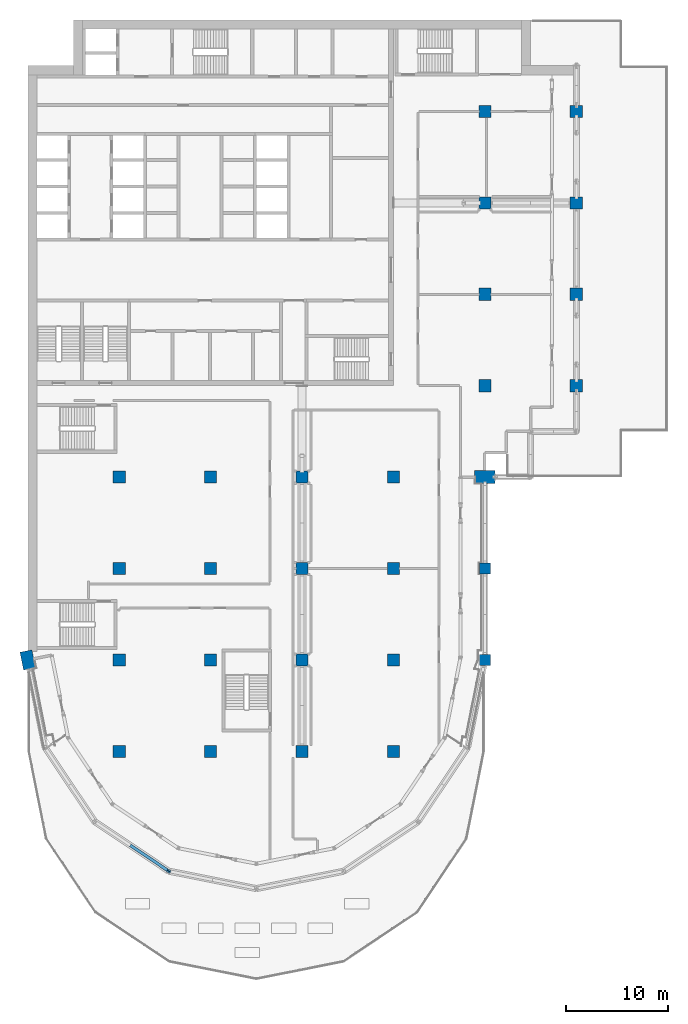
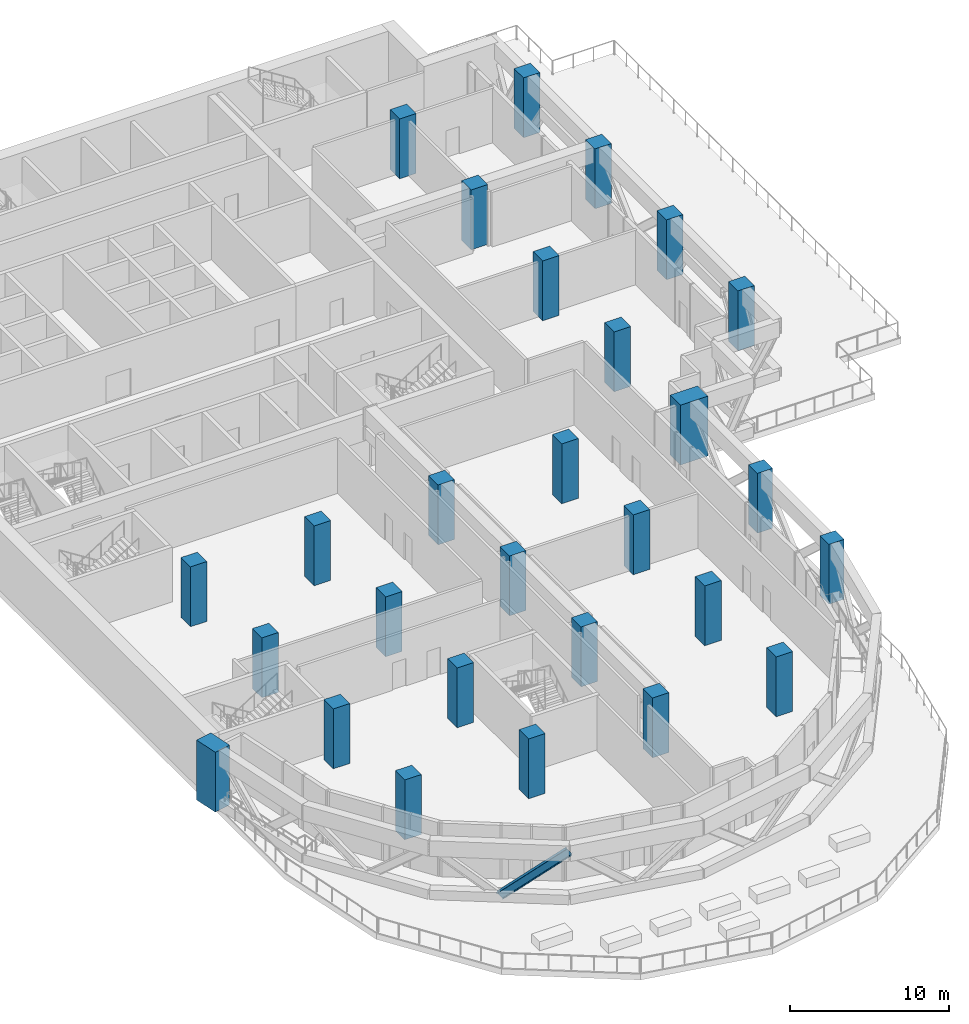
# One storey, part 1 of 20: 28 columns, 1 member.
"""IFC4 building model written with IfcOpenShell, lengths in metres."""

from ifc_helpers import new_model, si_unit, direction, frame, origin, origin_2d, place, context, subcontext, project, spatial, rectangle, i_section, extrude, material, material_profile, profile_set, type_object, element, save


model = new_model("IFC4")

# Units and contexts
model_context = context("Model", 3, precision=1e-05, world=origin(), true_north=direction((0.0, 1.0)))
body_context = subcontext(model_context, "Body", "Model", "MODEL_VIEW")
ifc_project = project(units=[si_unit("LENGTHUNIT", "METRE"), si_unit("AREAUNIT", "SQUARE_METRE"), si_unit("VOLUMEUNIT", "CUBIC_METRE"), si_unit("PLANEANGLEUNIT", "RADIAN"), si_unit("MASSUNIT", "GRAM", prefix="KILO")], contexts=[model_context])

# Site, building, storey
site_placement = place(None, origin())
site = spatial("IfcSite", under=ifc_project, at=site_placement, CompositionType="ELEMENT")
building_placement = place(site_placement, origin())
building = spatial("IfcBuilding", under=site, at=building_placement, Name="Hunhe Ridgeline Campus", CompositionType="ELEMENT")
storey_placement = place(building_placement, frame((0.0, 0.0, 178.199951171875)))
storey = spatial("IfcBuildingStorey", under=building, at=storey_placement, Name="L45", CompositionType="ELEMENT", Elevation=178.199951171875)

# Columns
ifc_material_1 = material(Name="Concrete C60", Category="concrete")
ifc_material_profile_1 = material_profile(ifc_material_1, rectangle(XDim=1.800048828125, YDim=1.199951171875, at=origin_2d()))
ifc_profile_set_1 = profile_set([ifc_material_profile_1], Name="Concrete C60")
column_type_1 = type_object("IfcColumnType", Name="Megacolumn 1800x1200 Concrete C60", PredefinedType="COLUMN", material=ifc_profile_set_1)
column_1_placement = place(storey_placement, frame((0.0, 36.0, 0.0), z_axis=(0.0, 0.0, 1.0), x_axis=(-0.195090322016, 0.980785280403, 0.0)))
element("IfcColumn", 1, at=column_1_placement, inside=storey, type_object=column_type_1, Name="Column C11 E1 L45", PredefinedType="COLUMN", context=body_context, shape_type="SweptSolid", body=[
    extrude(rectangle(XDim=1.800048828125, YDim=1.199951171875, at=origin_2d()), origin(), (0.0, 0.0, 1.0), 4.60009765625),
])
ifc_material_2 = material(Name="Concrete C70", Category="concrete")
ifc_material_profile_2 = material_profile(ifc_material_2, rectangle(XDim=2.0, YDim=1.300048828125, at=origin_2d()))
ifc_profile_set_2 = profile_set([ifc_material_profile_2], Name="Concrete C70")
column_type_2 = type_object("IfcColumnType", Name="Megacolumn 2000x1300 Concrete C70", PredefinedType="COLUMN", material=ifc_profile_set_2)
column_2_placement = place(storey_placement, frame((45.0, 54.0, 0.0), z_axis=(0.0, 0.0, 1.0), x_axis=(1.0, 0.0, 0.0)))
element("IfcColumn", 2, at=column_2_placement, inside=storey, type_object=column_type_2, Name="Column C9 G6 L45", PredefinedType="COLUMN", context=body_context, shape_type="SweptSolid", body=[
    extrude(rectangle(XDim=2.0, YDim=1.300048828125, at=origin_2d()), origin(), (0.0, 0.0, 1.0), 4.60009765625),
])
ifc_material_profile_3 = material_profile(ifc_material_2, rectangle(XDim=1.10009765625, YDim=1.10009765625, at=origin_2d()))
ifc_profile_set_3 = profile_set([ifc_material_profile_3], Name="Concrete C70")
column_type_3 = type_object("IfcColumnType", Name="RC column 1100x1100 Concrete C70", PredefinedType="COLUMN", material=ifc_profile_set_3)
for number, where, z_axis, x_axis, name in (
    (3, (45.0, 36.0, 0.0), (0.0, 0.0, 1.0), (1.0, 0.0, 0.0), "Column C10 E6 L45"),
    (4, (45.0, 45.0, 0.0), (0.0, 0.0, 1.0), (1.0, 0.0, 0.0), "Column C10 F6 L45"),
):
    element("IfcColumn", number, at=place(storey_placement, frame(where, z_axis=z_axis, x_axis=x_axis)), inside=storey, type_object=column_type_3, Name=name, PredefinedType="COLUMN", context=body_context, shape_type="SweptSolid", body=[
        extrude(rectangle(XDim=1.10009765625, YDim=1.10009765625, at=origin_2d()), origin(), (0.0, 0.0, 1.0), 4.60009765625),
    ])
ifc_material_profile_4 = material_profile(ifc_material_2, rectangle(XDim=1.199951171875, YDim=1.199951171875, at=origin_2d()))
ifc_profile_set_4 = profile_set([ifc_material_profile_4], Name="Concrete C70")
column_type_4 = type_object("IfcColumnType", Name="RC column 1200x1200 Concrete C70", PredefinedType="COLUMN", material=ifc_profile_set_4)
for number, where, z_axis, x_axis, name in (
    (5, (54.0, 63.0, 0.0), (0.0, 0.0, 1.0), (1.0, 0.0, 0.0), "Column C7 H7 L45"),
    (6, (54.0, 72.0, 0.0), (0.0, 0.0, 1.0), (1.0, 0.0, 0.0), "Column C7 I7 L45"),
    (7, (54.0, 81.0, 0.0), (0.0, 0.0, 1.0), (1.0, 0.0, 0.0), "Column C7 J7 L45"),
    (8, (54.0, 90.0, 0.0), (0.0, 0.0, 1.0), (1.0, 0.0, 0.0), "Column C7 K7 L45"),
    (9, (9.0, 27.0, 0.0), (0.0, 0.0, 1.0), (1.0, 0.0, 0.0), "Column C7 D2 L45"),
    (10, (9.0, 36.0, 0.0), (0.0, 0.0, 1.0), (1.0, 0.0, 0.0), "Column C7 E2 L45"),
    (11, (9.0, 45.0, 0.0), (0.0, 0.0, 1.0), (1.0, 0.0, 0.0), "Column C7 F2 L45"),
    (12, (9.0, 54.0, 0.0), (0.0, 0.0, 1.0), (1.0, 0.0, 0.0), "Column C7 G2 L45"),
    (13, (18.0, 27.0, 0.0), (0.0, 0.0, 1.0), (1.0, 0.0, 0.0), "Column C7 D3 L45"),
    (14, (18.0, 36.0, 0.0), (0.0, 0.0, 1.0), (1.0, 0.0, 0.0), "Column C7 E3 L45"),
    (15, (18.0, 45.0, 0.0), (0.0, 0.0, 1.0), (1.0, 0.0, 0.0), "Column C7 F3 L45"),
    (16, (18.0, 54.0, 0.0), (0.0, 0.0, 1.0), (1.0, 0.0, 0.0), "Column C7 G3 L45"),
    (17, (27.0, 27.0, 0.0), (0.0, 0.0, 1.0), (1.0, 0.0, 0.0), "Column C7 D4 L45"),
    (18, (27.0, 36.0, 0.0), (0.0, 0.0, 1.0), (1.0, 0.0, 0.0), "Column C7 E4 L45"),
    (19, (27.0, 45.0, 0.0), (0.0, 0.0, 1.0), (1.0, 0.0, 0.0), "Column C7 F4 L45"),
    (20, (27.0, 54.0, 0.0), (0.0, 0.0, 1.0), (1.0, 0.0, 0.0), "Column C7 G4 L45"),
    (21, (36.0, 27.0, 0.0), (0.0, 0.0, 1.0), (1.0, 0.0, 0.0), "Column C7 D5 L45"),
    (22, (36.0, 36.0, 0.0), (0.0, 0.0, 1.0), (1.0, 0.0, 0.0), "Column C7 E5 L45"),
    (23, (36.0, 45.0, 0.0), (0.0, 0.0, 1.0), (1.0, 0.0, 0.0), "Column C7 F5 L45"),
    (24, (36.0, 54.0, 0.0), (0.0, 0.0, 1.0), (1.0, 0.0, 0.0), "Column C7 G5 L45"),
    (25, (45.0, 63.0, 0.0), (0.0, 0.0, 1.0), (1.0, 0.0, 0.0), "Column C7 H6 L45"),
    (26, (45.0, 72.0, 0.0), (0.0, 0.0, 1.0), (1.0, 0.0, 0.0), "Column C7 I6 L45"),
    (27, (45.0, 81.0, 0.0), (0.0, 0.0, 1.0), (1.0, 0.0, 0.0), "Column C7 J6 L45"),
    (28, (45.0, 90.0, 0.0), (0.0, 0.0, 1.0), (1.0, 0.0, 0.0), "Column C7 K6 L45"),
):
    element("IfcColumn", number, at=place(storey_placement, frame(where, z_axis=z_axis, x_axis=x_axis)), inside=storey, type_object=column_type_4, Name=name, PredefinedType="COLUMN", context=body_context, shape_type="SweptSolid", body=[
        extrude(rectangle(XDim=1.199951171875, YDim=1.199951171875, at=origin_2d()), origin(), (0.0, 0.0, 1.0), 4.60009765625),
    ])

# Member
ifc_material_3 = material(Name="Steel Q420", Category="steel")
ifc_material_profile_5 = material_profile(ifc_material_3, i_section(OverallWidth=0.300048828125, OverallDepth=0.58203125, WebThickness=0.011962890625, FlangeThickness=0.01708984375, FilletRadius=0.012939453125, at=origin_2d()))
ifc_profile_set_5 = profile_set([ifc_material_profile_5], Name="Steel Q420")
member_type = type_object("IfcMemberType", Name="Belt truss diagonal HM582x300x12x17 Steel Q420", PredefinedType="BRACE", material=ifc_profile_set_5)
member_placement = place(storey_placement, frame((10.23974609375, 17.6513671875, 0.400146484375), z_axis=(0.642930388216, -0.429580712233, 0.634114285903), x_axis=(0.555559826862, 0.831476565381, 0.0)))
element("IfcMember", 29, at=member_placement, inside=storey, type_object=member_type, Name="Belt truss BT1 diagonal L45 12", PredefinedType="BRACE", context=body_context, shape_type="SweptSolid", body=[
    extrude(i_section(OverallWidth=0.300048828125, OverallDepth=0.58203125, WebThickness=0.011962890625, FlangeThickness=0.01708984375, FilletRadius=0.012939453125, at=origin_2d()), origin(), (0.0, 0.0, 1.0), 5.677001953125),
])

save(model, "model.ifc")
